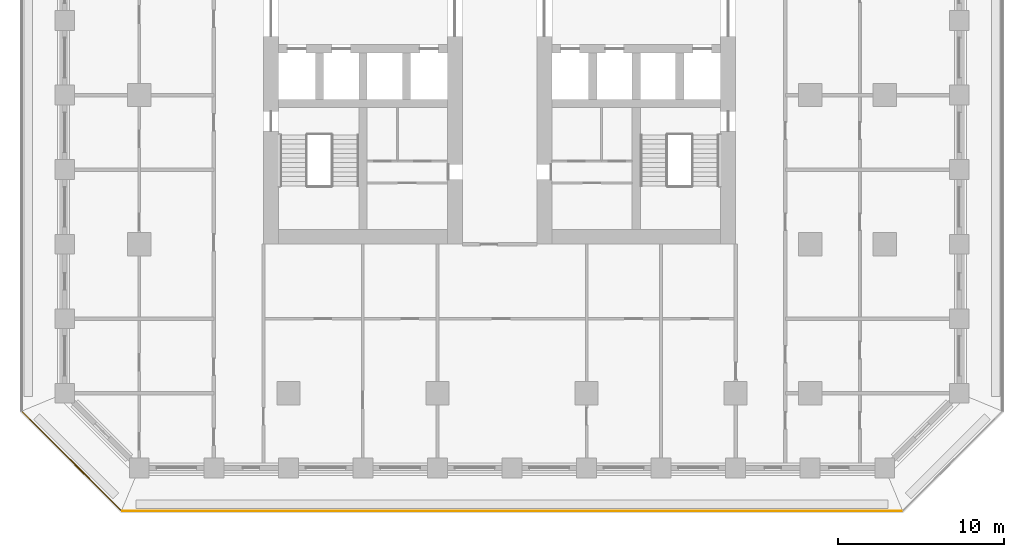
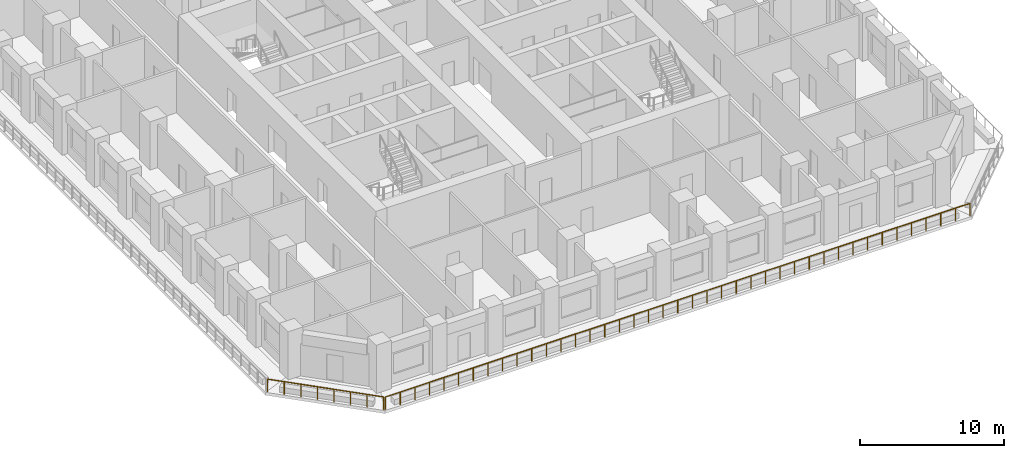
# One storey, part 10 of 18: 2 railings.
"""IFC4 building model written with IfcOpenShell, lengths in metres."""

import ifcopenshell
import ifcopenshell.guid

model = None  # the IFC model being written
_history = None  # IfcOwnerHistory: only IFC2X3 demands one
_inside = {}  # id of a spatial element -> (the spatial element, [elements in it])
_under = {}  # id of a project, library or spatial element -> (it, [spatial elements below it])
_declared = {}  # id of a project -> (the project, [libraries it declares])
_typed = {}  # id of a type object -> (the type object, [elements of that type])
_made_of = {}  # id of a material, layer set ... -> (it, [elements and type objects made of it])


def new_model(schema):
    """Start an empty IFC model of exactly this schema.

    Asked for "IFC4X3", IfcOpenShell would pick the latest addendum, in which some entities
    have other attributes; the version numbers below select the first issue.
    IFC2X3 requires an IfcOwnerHistory on every rooted entity: one is made here for all.
    """
    global model, _history
    if schema == "IFC4X3":
        model = ifcopenshell.file(schema_version=(4, 3, 0, 0))
    else:
        model = ifcopenshell.file(schema=schema)
    _inside.clear()
    _under.clear()
    _declared.clear()
    _typed.clear()
    _made_of.clear()
    _history = None
    if model.schema == "IFC2X3":
        org = make("IfcOrganization", Name="unknown")
        user = make(
            "IfcPersonAndOrganization",
            ThePerson=make("IfcPerson", FamilyName="unknown"),
            TheOrganization=org,
        )
        app = make(
            "IfcApplication",
            ApplicationDeveloper=org,
            Version="unknown",
            ApplicationFullName="unknown",
            ApplicationIdentifier="unknown",
        )
        _history = make(
            "IfcOwnerHistory",
            OwningUser=user,
            OwningApplication=app,
            ChangeAction="ADDED",
            CreationDate=0,
        )
    return model


def make(cls, **values):
    """One entity of the class cls with the attributes given. An attribute that is None is left unset."""
    return model.create_entity(
        cls, **{name: value for name, value in values.items() if value is not None}
    )


def rooted(cls, **values):
    """An entity with a GlobalId (a new one), such as an element, a storey or a relation."""
    return make(cls, GlobalId=ifcopenshell.guid.new(), OwnerHistory=_history, **values)


def si_unit(unit_type, name, prefix=None):
    """IfcSIUnit, for example si_unit("LENGTHUNIT", "METRE", prefix="MILLI")."""
    return make("IfcSIUnit", UnitType=unit_type, Prefix=prefix, Name=name)


def assignment(units):
    """IfcUnitAssignment: the units of a project."""
    return None if units is None else make("IfcUnitAssignment", Units=units)


def point(xyz):
    """IfcCartesianPoint."""
    return None if xyz is None else make("IfcCartesianPoint", Coordinates=xyz)


def direction(xyz):
    """IfcDirection."""
    return None if xyz is None else make("IfcDirection", DirectionRatios=xyz)


def frame(location, z_axis=None, x_axis=None):
    """IfcAxis2Placement3D, a coordinate frame: its origin and axes. An axis left out is left unset."""
    return make(
        "IfcAxis2Placement3D",
        Location=point(location),
        Axis=direction(z_axis),
        RefDirection=direction(x_axis),
    )


def frame_2d(location, x_axis=None):
    """IfcAxis2Placement2D, a coordinate frame in the plane: its origin and x axis."""
    return make(
        "IfcAxis2Placement2D", Location=point(location), RefDirection=direction(x_axis)
    )


def origin():
    """The frame at (0, 0, 0) with its axes left unset."""
    return frame((0.0, 0.0, 0.0))


def origin_2d():
    """The frame at (0, 0) in the plane with its x axis left unset."""
    return frame_2d((0.0, 0.0))


def place(relative_to, where):
    """IfcLocalPlacement: puts the frame where relative to a parent placement (None: the world)."""
    return make(
        "IfcLocalPlacement", PlacementRelTo=relative_to, RelativePlacement=where
    )


def context(
    kind, dimensions, precision=None, world=None, true_north=None, identifier=None
):
    """IfcGeometricRepresentationContext, for example the 3D "Model" context."""
    return make(
        "IfcGeometricRepresentationContext",
        ContextIdentifier=identifier,
        ContextType=kind,
        CoordinateSpaceDimension=dimensions,
        Precision=precision,
        WorldCoordinateSystem=world,
        TrueNorth=true_north,
    )


def subcontext(parent, identifier, kind, view, scale=None):
    """IfcGeometricRepresentationSubContext, for example "Body" below "Model"."""
    return make(
        "IfcGeometricRepresentationSubContext",
        ContextIdentifier=identifier,
        ContextType=kind,
        ParentContext=parent,
        TargetScale=scale,
        TargetView=view,
    )


def project(units=None, contexts=None):
    """IfcProject with its units and contexts."""
    return rooted(
        "IfcProject",
        Name="project",
        RepresentationContexts=contexts,
        UnitsInContext=assignment(units),
    )


def spatial(cls, under=None, at=None, **own):
    """A site, building, storey or space (cls), placed at a placement, below another one or the project."""
    s = rooted(cls, ObjectPlacement=at, **own)
    if under is not None:
        _under.setdefault(under.id(), (under, []))[1].append(s)
    return s


def profile(cls, at=None, kind="AREA", **sizes):
    """A parametric profile (cls). Its sizes go by their IFC names, for example OverallWidth=200.0."""
    return make(cls, ProfileType=kind, Position=at, **sizes)


def circle(**sizes):
    """IfcCircleProfileDef."""
    return profile("IfcCircleProfileDef", **sizes)


def extrude(swept, where, along, depth):
    """IfcExtrudedAreaSolid: the profile swept, set in the frame where, extruded along a direction by depth."""
    return make(
        "IfcExtrudedAreaSolid",
        SweptArea=swept,
        Position=where,
        ExtrudedDirection=direction(along),
        Depth=depth,
    )


def shape(context_of_items, identifier, shape_type, items):
    """IfcShapeRepresentation: the items that make up one representation, for example the "Body"."""
    return make(
        "IfcShapeRepresentation",
        ContextOfItems=context_of_items,
        RepresentationIdentifier=identifier,
        RepresentationType=shape_type,
        Items=items,
    )


def material(Name=None, Category=None):
    """IfcMaterial."""
    return make("IfcMaterial", Name=Name, Category=Category)


def made_of(thing, what):
    """Note that an element or type object is made of a material, layer set ...; save() writes the relation."""
    if what is not None:
        _made_of.setdefault(what.id(), (what, []))[1].append(thing)
    return thing


def type_object(cls, material=None, **own):
    """A type object (cls), such as IfcWallType, which elements share."""
    return made_of(rooted(cls, **own), material)


def element(
    cls,
    number,
    at=None,
    inside=None,
    cuts=None,
    type_object=None,
    material=None,
    context=None,
    identifier="Body",
    shape_type=None,
    held_by="IfcProductDefinitionShape",
    body=None,
    shapes=None,
    **own,
):
    """One element of the class cls, such as IfcWall. Its Tag is "e" and its number.

    at: its placement. inside: the storey or other place that contains it. cuts: it is an
    opening in that element (IfcRelVoidsElement). A single representation is given by context,
    identifier, shape_type and body (its items); several are given by shapes. held_by: the class
    of the entity that holds the representations. save() writes the other relations.
    """
    e = rooted(cls, Tag="e%d" % number, ObjectPlacement=at, **own)
    if body is not None:
        shapes = [shape(context, identifier, shape_type, body)]
    if shapes is not None:
        e.Representation = make(held_by, Representations=shapes)
    if inside is not None:
        _inside.setdefault(inside.id(), (inside, []))[1].append(e)
    if cuts is not None:
        rooted(
            "IfcRelVoidsElement", RelatingBuildingElement=cuts, RelatedOpeningElement=e
        )
    if type_object is not None:
        _typed.setdefault(type_object.id(), (type_object, []))[1].append(e)
    return made_of(e, material)


def aggregate(whole, parts):
    """IfcRelAggregates: a whole, such as a stair, and the parts it consists of."""
    return rooted("IfcRelAggregates", RelatingObject=whole, RelatedObjects=parts)


def save(model, path):
    """Write the relations noted so far, then the file.

    IfcRelAggregates (storeys below a building ...), IfcRelContainedInSpatialStructure (elements
    in a storey), IfcRelDefinesByType, IfcRelAssociatesMaterial and IfcRelDeclares: one each for
    every whole, place, type object, material and project.
    """
    for whole, parts in _under.values():
        aggregate(whole, parts)
    for where, things in _inside.values():
        rooted(
            "IfcRelContainedInSpatialStructure",
            RelatedElements=things,
            RelatingStructure=where,
        )
    for kind, things in _typed.values():
        rooted("IfcRelDefinesByType", RelatedObjects=things, RelatingType=kind)
    for what, things in _made_of.values():
        rooted("IfcRelAssociatesMaterial", RelatedObjects=things, RelatingMaterial=what)
    for by, libraries in _declared.values():
        rooted("IfcRelDeclares", RelatingContext=by, RelatedDefinitions=libraries)
    model.write(path)


model = new_model("IFC4")

# Units and contexts
model_context = context("Model", 3, precision=1e-05, world=origin(), true_north=direction((0.0, 1.0)))
body_context = subcontext(model_context, "Body", "Model", "MODEL_VIEW")
ifc_project = project(units=[si_unit("LENGTHUNIT", "METRE"), si_unit("AREAUNIT", "SQUARE_METRE"), si_unit("VOLUMEUNIT", "CUBIC_METRE"), si_unit("PLANEANGLEUNIT", "RADIAN"), si_unit("MASSUNIT", "GRAM", prefix="KILO")], contexts=[model_context])

# Site, building, storey
site_placement = place(None, origin())
site = spatial("IfcSite", under=ifc_project, at=site_placement, CompositionType="ELEMENT")
building_placement = place(site_placement, origin())
building = spatial("IfcBuilding", under=site, at=building_placement, Name="Corbel Stack Research Tower", CompositionType="ELEMENT")
storey_placement = place(building_placement, frame((0.0, 0.0, 102.5)))
storey = spatial("IfcBuildingStorey", under=building, at=storey_placement, Name="L23", CompositionType="ELEMENT", Elevation=102.5)

# Railings
ifc_material = material(Name="Powder-coated steel guard", Category="steel")
railing_type = type_object("IfcRailingType", Name="Steel and glass guard 1100", PredefinedType="GUARDRAIL", material=ifc_material)
railing_1_placement = place(storey_placement, frame((-19.00537109375, -25.10009765625, 0.0)))
element("IfcRailing", 1, at=railing_1_placement, inside=storey, type_object=railing_type, Name="Loggia guard L23 S", PredefinedType="GUARDRAIL", context=body_context, shape_type="SweptSolid", body=[
    extrude(circle(Radius=0.02392578125, at=origin_2d()), frame((0.0, 0.0, 1.076171875), z_axis=(1.0, 0.0, 0.0), x_axis=(0.0, 1.0, 0.0)), (0.0, 0.0, 1.0), 47.0107421875),
    extrude(circle(Radius=0.02099609375, at=origin_2d()), origin(), (0.0, 0.0, 1.0), 1.052001953125),
    extrude(circle(Radius=0.02099609375, at=origin_2d()), frame((1.17529296875, 0.0, 0.0)), (0.0, 0.0, 1.0), 1.052001953125),
    extrude(circle(Radius=0.02099609375, at=origin_2d()), frame((2.3505859375, 0.0, 0.0)), (0.0, 0.0, 1.0), 1.052001953125),
    extrude(circle(Radius=0.02099609375, at=origin_2d()), frame((3.52587890625, 0.0, 0.0)), (0.0, 0.0, 1.0), 1.052001953125),
    extrude(circle(Radius=0.02099609375, at=origin_2d()), frame((4.701171875, 0.0, 0.0)), (0.0, 0.0, 1.0), 1.052001953125),
    extrude(circle(Radius=0.02099609375, at=origin_2d()), frame((5.87646484375, 0.0, 0.0)), (0.0, 0.0, 1.0), 1.052001953125),
    extrude(circle(Radius=0.02099609375, at=origin_2d()), frame((7.051513671875, 0.0, 0.0)), (0.0, 0.0, 1.0), 1.052001953125),
    extrude(circle(Radius=0.02099609375, at=origin_2d()), frame((8.226806640625, 0.0, 0.0)), (0.0, 0.0, 1.0), 1.052001953125),
    extrude(circle(Radius=0.02099609375, at=origin_2d()), frame((9.402099609375, 0.0, 0.0)), (0.0, 0.0, 1.0), 1.052001953125),
    extrude(circle(Radius=0.02099609375, at=origin_2d()), frame((10.577392578125, 0.0, 0.0)), (0.0, 0.0, 1.0), 1.052001953125),
    extrude(circle(Radius=0.02099609375, at=origin_2d()), frame((11.752685546875, 0.0, 0.0)), (0.0, 0.0, 1.0), 1.052001953125),
    extrude(circle(Radius=0.02099609375, at=origin_2d()), frame((12.927978515625, 0.0, 0.0)), (0.0, 0.0, 1.0), 1.052001953125),
    extrude(circle(Radius=0.02099609375, at=origin_2d()), frame((14.103271484375, 0.0, 0.0)), (0.0, 0.0, 1.0), 1.052001953125),
    extrude(circle(Radius=0.02099609375, at=origin_2d()), frame((15.278564453125, 0.0, 0.0)), (0.0, 0.0, 1.0), 1.052001953125),
    extrude(circle(Radius=0.02099609375, at=origin_2d()), frame((16.453857421875, 0.0, 0.0)), (0.0, 0.0, 1.0), 1.052001953125),
    extrude(circle(Radius=0.02099609375, at=origin_2d()), frame((17.62890625, 0.0, 0.0)), (0.0, 0.0, 1.0), 1.052001953125),
    extrude(circle(Radius=0.02099609375, at=origin_2d()), frame((18.80419921875, 0.0, 0.0)), (0.0, 0.0, 1.0), 1.052001953125),
    extrude(circle(Radius=0.02099609375, at=origin_2d()), frame((19.9794921875, 0.0, 0.0)), (0.0, 0.0, 1.0), 1.052001953125),
    extrude(circle(Radius=0.02099609375, at=origin_2d()), frame((21.15478515625, 0.0, 0.0)), (0.0, 0.0, 1.0), 1.052001953125),
    extrude(circle(Radius=0.02099609375, at=origin_2d()), frame((22.330078125, 0.0, 0.0)), (0.0, 0.0, 1.0), 1.052001953125),
    extrude(circle(Radius=0.02099609375, at=origin_2d()), frame((23.50537109375, 0.0, 0.0)), (0.0, 0.0, 1.0), 1.052001953125),
    extrude(circle(Radius=0.02099609375, at=origin_2d()), frame((24.6806640625, 0.0, 0.0)), (0.0, 0.0, 1.0), 1.052001953125),
    extrude(circle(Radius=0.02099609375, at=origin_2d()), frame((25.85595703125, 0.0, 0.0)), (0.0, 0.0, 1.0), 1.052001953125),
    extrude(circle(Radius=0.02099609375, at=origin_2d()), frame((27.03125, 0.0, 0.0)), (0.0, 0.0, 1.0), 1.052001953125),
    extrude(circle(Radius=0.02099609375, at=origin_2d()), frame((28.20654296875, 0.0, 0.0)), (0.0, 0.0, 1.0), 1.052001953125),
    extrude(circle(Radius=0.02099609375, at=origin_2d()), frame((29.3818359375, 0.0, 0.0)), (0.0, 0.0, 1.0), 1.052001953125),
    extrude(circle(Radius=0.02099609375, at=origin_2d()), frame((30.556884765625, 0.0, 0.0)), (0.0, 0.0, 1.0), 1.052001953125),
    extrude(circle(Radius=0.02099609375, at=origin_2d()), frame((31.732177734375, 0.0, 0.0)), (0.0, 0.0, 1.0), 1.052001953125),
    extrude(circle(Radius=0.02099609375, at=origin_2d()), frame((32.907470703125, 0.0, 0.0)), (0.0, 0.0, 1.0), 1.052001953125),
    extrude(circle(Radius=0.02099609375, at=origin_2d()), frame((34.082763671875, 0.0, 0.0)), (0.0, 0.0, 1.0), 1.052001953125),
    extrude(circle(Radius=0.02099609375, at=origin_2d()), frame((35.258056640625, 0.0, 0.0)), (0.0, 0.0, 1.0), 1.052001953125),
    extrude(circle(Radius=0.02099609375, at=origin_2d()), frame((36.433349609375, 0.0, 0.0)), (0.0, 0.0, 1.0), 1.052001953125),
    extrude(circle(Radius=0.02099609375, at=origin_2d()), frame((37.608642578125, 0.0, 0.0)), (0.0, 0.0, 1.0), 1.052001953125),
    extrude(circle(Radius=0.02099609375, at=origin_2d()), frame((38.783935546875, 0.0, 0.0)), (0.0, 0.0, 1.0), 1.052001953125),
    extrude(circle(Radius=0.02099609375, at=origin_2d()), frame((39.959228515625, 0.0, 0.0)), (0.0, 0.0, 1.0), 1.052001953125),
    extrude(circle(Radius=0.02099609375, at=origin_2d()), frame((41.13427734375, 0.0, 0.0)), (0.0, 0.0, 1.0), 1.052001953125),
    extrude(circle(Radius=0.02099609375, at=origin_2d()), frame((42.3095703125, 0.0, 0.0)), (0.0, 0.0, 1.0), 1.052001953125),
    extrude(circle(Radius=0.02099609375, at=origin_2d()), frame((43.48486328125, 0.0, 0.0)), (0.0, 0.0, 1.0), 1.052001953125),
    extrude(circle(Radius=0.02099609375, at=origin_2d()), frame((44.66015625, 0.0, 0.0)), (0.0, 0.0, 1.0), 1.052001953125),
    extrude(circle(Radius=0.02099609375, at=origin_2d()), frame((45.83544921875, 0.0, 0.0)), (0.0, 0.0, 1.0), 1.052001953125),
    extrude(circle(Radius=0.02099609375, at=origin_2d()), frame((47.0107421875, 0.0, 0.0)), (0.0, 0.0, 1.0), 1.052001953125),
])
railing_2_placement = place(storey_placement, frame((-25.04931640625, -19.127685546875, 0.0)))
element("IfcRailing", 2, at=railing_2_placement, inside=storey, type_object=railing_type, Name="Loggia guard L23 SW", PredefinedType="GUARDRAIL", context=body_context, shape_type="SweptSolid", body=[
    extrude(circle(Radius=0.02392578125, at=origin_2d()), frame((0.0, 0.0, 1.076171875), z_axis=(0.707106781187, -0.707106781187, 0.0), x_axis=(0.707106781187, 0.707106781187, 0.0)), (0.0, 0.0, 1.0), 8.37451171875),
    extrude(circle(Radius=0.02099609375, at=origin_2d()), origin(), (0.0, 0.0, 1.0), 1.052001953125),
    extrude(circle(Radius=0.02099609375, at=origin_2d()), frame((0.845947265625, -0.845947265625, 0.0)), (0.0, 0.0, 1.0), 1.052001953125),
    extrude(circle(Radius=0.02099609375, at=origin_2d()), frame((1.69189453125, -1.69189453125, 0.0)), (0.0, 0.0, 1.0), 1.052001953125),
    extrude(circle(Radius=0.02099609375, at=origin_2d()), frame((2.537841796875, -2.537841796875, 0.0)), (0.0, 0.0, 1.0), 1.052001953125),
    extrude(circle(Radius=0.02099609375, at=origin_2d()), frame((3.3837890625, -3.3837890625, 0.0)), (0.0, 0.0, 1.0), 1.052001953125),
    extrude(circle(Radius=0.02099609375, at=origin_2d()), frame((4.229736328125, -4.229736328125, 0.0)), (0.0, 0.0, 1.0), 1.052001953125),
    extrude(circle(Radius=0.02099609375, at=origin_2d()), frame((5.07568359375, -5.07568359375, 0.0)), (0.0, 0.0, 1.0), 1.052001953125),
    extrude(circle(Radius=0.02099609375, at=origin_2d()), frame((5.921630859375, -5.921630859375, 0.0)), (0.0, 0.0, 1.0), 1.052001953125),
])

save(model, "model.ifc")
